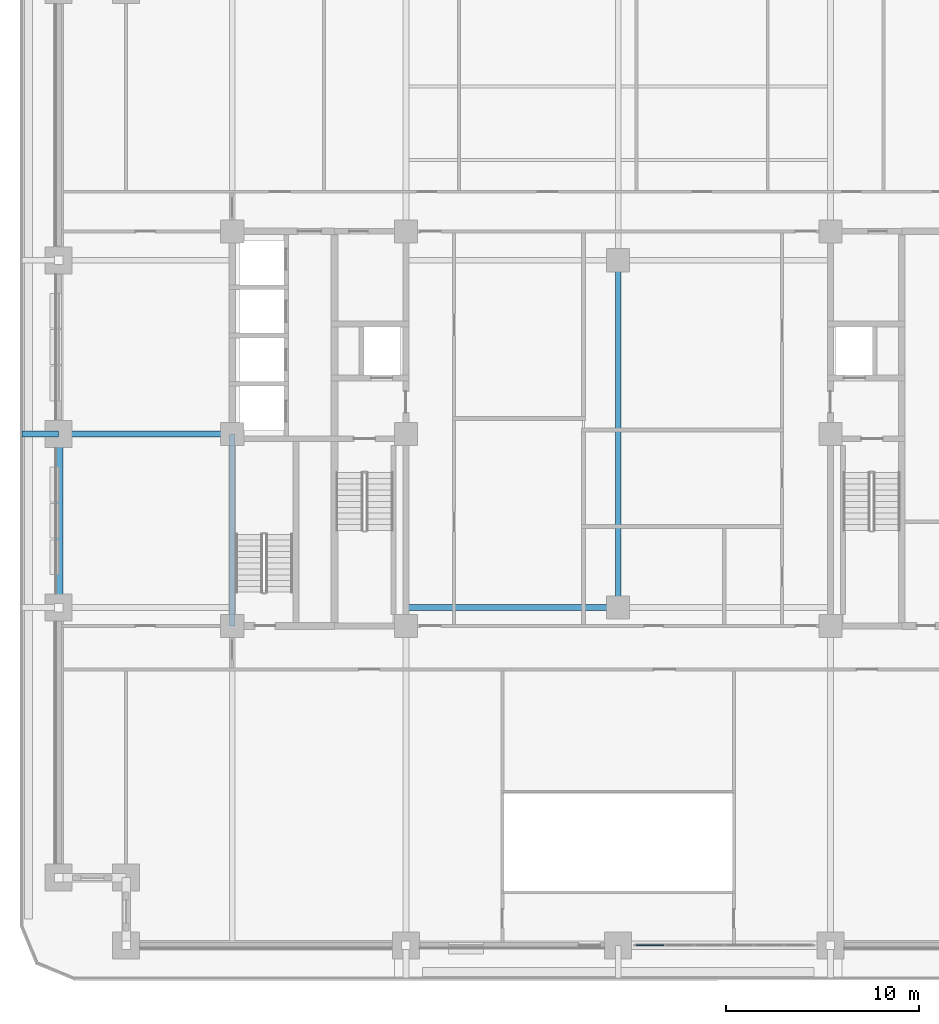
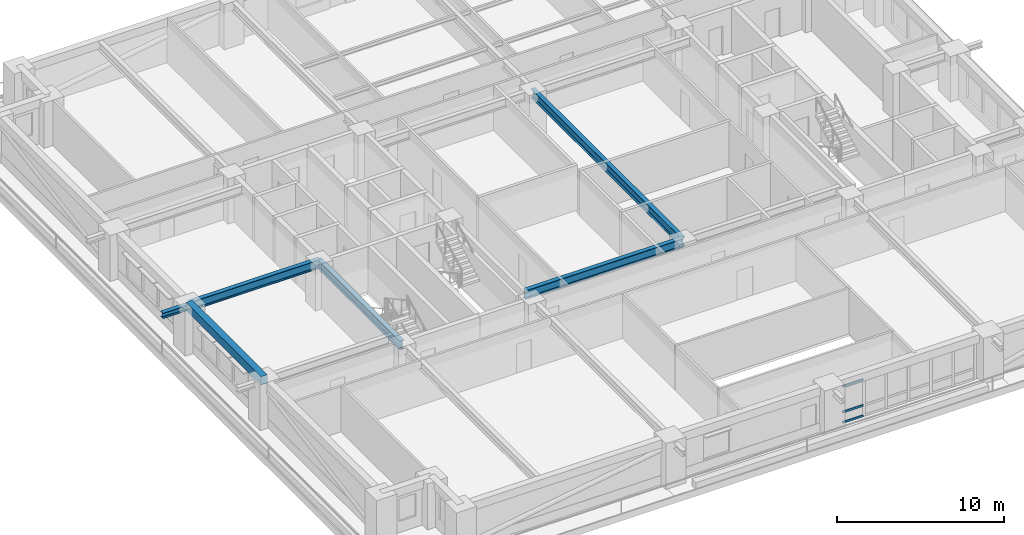
# One storey, part 3 of 20: 6 beams, 3 members, 1 element without a shape of its own.
"""IFC4 building model written with IfcOpenShell, lengths in metres."""

from ifc_helpers import new_model, si_unit, direction, frame, origin, origin_2d, place, context, subcontext, project, spatial, rectangle, i_section, extrude, material, material_profile, profile_set, type_object, element, aggregate, save


model = new_model("IFC4")

# Units and contexts
model_context = context("Model", 3, precision=1e-05, world=origin(), true_north=direction((0.0, 1.0)))
body_context = subcontext(model_context, "Body", "Model", "MODEL_VIEW")
ifc_project = project(units=[si_unit("LENGTHUNIT", "METRE"), si_unit("AREAUNIT", "SQUARE_METRE"), si_unit("VOLUMEUNIT", "CUBIC_METRE"), si_unit("PLANEANGLEUNIT", "RADIAN"), si_unit("MASSUNIT", "GRAM", prefix="KILO")], contexts=[model_context])

# Site, building, storey
site_placement = place(None, origin())
site = spatial("IfcSite", under=ifc_project, at=site_placement, CompositionType="ELEMENT")
building_placement = place(site_placement, origin())
building = spatial("IfcBuilding", under=site, at=building_placement, Name="Zulmaris Gate Convention Tower", CompositionType="ELEMENT")
storey_placement = place(building_placement, frame((0.0, 0.0, 75.0400390625)))
storey = spatial("IfcBuildingStorey", under=building, at=storey_placement, Name="L18", CompositionType="ELEMENT", Elevation=75.0400390625)

# Beams
ifc_material_1 = material(Name="Steel S355", Category="steel")
ifc_material_profile_1 = material_profile(ifc_material_1, i_section(OverallWidth=0.300048828125, OverallDepth=0.39990234375, WebThickness=0.013427734375, FlangeThickness=0.02392578125, FilletRadius=0.027099609375, at=origin_2d()), Name="HEB 400")
ifc_profile_set_1 = profile_set([ifc_material_profile_1], Name="Steel S355")
beam_type_1 = type_object("IfcBeamType", Name="BM-HEB400", PredefinedType="BEAM", material=ifc_profile_set_1)
beam_1_placement = place(storey_placement, frame((-30.89990234375, 0.0, 2.97998046875), z_axis=(1.0, 0.0, 0.0), x_axis=(0.0, 1.0, 0.0)))
element("IfcBeam", 1, at=beam_1_placement, inside=storey, type_object=beam_type_1, Name="L18 Beam TBRK-L18-W-+0", PredefinedType="BEAM", context=body_context, shape_type="SweptSolid", body=[
    extrude(i_section(OverallWidth=0.300048828125, OverallDepth=0.39990234375, WebThickness=0.013427734375, FlangeThickness=0.02392578125, FilletRadius=0.027099609375, at=origin_2d()), origin(), (0.0, 0.0, 1.0), 1.89990234375),
])
ifc_material_profile_2 = material_profile(ifc_material_1, i_section(OverallWidth=0.300048828125, OverallDepth=0.64990234375, WebThickness=0.01611328125, FlangeThickness=0.031005859375, FilletRadius=0.027099609375, at=origin_2d()), Name="HEB 650")
ifc_profile_set_2 = profile_set([ifc_material_profile_2], Name="Steel S355")
beam_type_2 = type_object("IfcBeamType", Name="BM-HEB650", PredefinedType="BEAM", material=ifc_profile_set_2)
beam_2_placement = place(storey_placement, frame((-11.0, -9.0, 2.992919921875), z_axis=(1.0, 0.0, 0.0), x_axis=(0.0, 1.0, 0.0)))
element("IfcBeam", 2, at=beam_2_placement, inside=storey, type_object=beam_type_2, Name="L18 Beam BM-L18-G01", PredefinedType="BEAM", context=body_context, shape_type="SweptSolid", body=[
    extrude(i_section(OverallWidth=0.300048828125, OverallDepth=0.64990234375, WebThickness=0.01611328125, FlangeThickness=0.031005859375, FilletRadius=0.027099609375, at=origin_2d()), origin(), (0.0, 0.0, 1.0), 11.0),
])
beam_3_placement = place(storey_placement, frame((0.0, -9.0, 2.992919921875), z_axis=(0.0, 1.0, 0.0), x_axis=(-1.0, 0.0, 0.0)))
element("IfcBeam", 3, at=beam_3_placement, inside=storey, type_object=beam_type_2, Name="L18 Beam BM-L18-G06", PredefinedType="BEAM", context=body_context, shape_type="SweptSolid", body=[
    extrude(i_section(OverallWidth=0.300048828125, OverallDepth=0.64990234375, WebThickness=0.01611328125, FlangeThickness=0.031005859375, FilletRadius=0.027099609375, at=origin_2d()), origin(), (0.0, 0.0, 1.0), 18.0),
])
beam_4_placement = place(storey_placement, frame((-29.0, 0.0, 2.992919921875), z_axis=(1.0, 0.0, 0.0), x_axis=(0.0, 1.0, 0.0)))
element("IfcBeam", 4, at=beam_4_placement, inside=storey, type_object=beam_type_2, Name="L18 Beam BM-L18-G17", PredefinedType="BEAM", context=body_context, shape_type="SweptSolid", body=[
    extrude(i_section(OverallWidth=0.300048828125, OverallDepth=0.64990234375, WebThickness=0.01611328125, FlangeThickness=0.031005859375, FilletRadius=0.027099609375, at=origin_2d()), origin(), (0.0, 0.0, 1.0), 9.0),
])
beam_5_placement = place(storey_placement, frame((-20.0, -9.949951171875, 2.992919921875), z_axis=(0.0, 1.0, 0.0), x_axis=(-1.0, 0.0, 0.0)))
element("IfcBeam", 5, at=beam_5_placement, inside=storey, type_object=beam_type_2, Name="L18 Beam BM-L18-G26", PredefinedType="BEAM", context=body_context, shape_type="SweptSolid", body=[
    extrude(i_section(OverallWidth=0.300048828125, OverallDepth=0.64990234375, WebThickness=0.01611328125, FlangeThickness=0.031005859375, FilletRadius=0.027099609375, at=origin_2d()), origin(), (0.0, 0.0, 1.0), 9.949951171875),
])
ifc_material_2 = material(Name="Precast concrete C50/60", Category="concrete")
ifc_material_profile_3 = material_profile(ifc_material_2, rectangle(XDim=0.449951171875, YDim=0.60009765625, at=origin_2d()), Name="RC SPANDREL 450x600")
ifc_profile_set_3 = profile_set([ifc_material_profile_3], Name="Precast concrete C50/60")
beam_type_3 = type_object("IfcBeamType", Name="BM-SP450x600", PredefinedType="SPANDREL", material=ifc_profile_set_3)
beam_6_placement = place(storey_placement, frame((-29.0, 0.0, 3.019775390625), z_axis=(0.0, -1.0, 0.0), x_axis=(1.0, 0.0, 0.0)))
element("IfcBeam", 6, at=beam_6_placement, inside=storey, type_object=beam_type_3, Name="L18 Spandrel SP-L18-21", PredefinedType="SPANDREL", context=body_context, shape_type="SweptSolid", body=[
    extrude(rectangle(XDim=0.449951171875, YDim=0.60009765625, at=origin_2d()), origin(), (0.0, 0.0, 1.0), 9.0),
])

# Curtain wall, members
ifc_material_3 = material(Name="Anodised Aluminium", Category="aluminium")
curtain_wall_type = type_object("IfcCurtainWallType", Name="CW-05", PredefinedType="NOTDEFINED", material=ifc_material_3)
curtain_wall_placement = place(storey_placement, origin())
curtain_wall = element("IfcCurtainWall", 7, at=curtain_wall_placement, inside=storey, type_object=curtain_wall_type, Name="CW-05 CW05-L18-S-2_0", PredefinedType="NOTDEFINED")
ifc_material_profile_4 = material_profile(ifc_material_3, rectangle(XDim=0.074951171875, YDim=0.14990234375, at=origin_2d()), Name="ALU TRANSOM 75x150")
ifc_profile_set_4 = profile_set([ifc_material_profile_4], Name="Anodised Aluminium")
member_type = type_object("IfcMemberType", Name="CW-05-TRAN", PredefinedType="USERDEFINED", material=ifc_profile_set_4)
member_1_placement = place(storey_placement, frame((0.93505859375, -26.5, 0.037353515625), z_axis=(1.0, 0.0, 0.0), x_axis=(0.0, 1.0, 0.0)))
member_1 = element("IfcMember", 8, at=member_1_placement, type_object=member_type, Name="CW-05 transom 1.1", ObjectType="TRANSOM", PredefinedType="USERDEFINED", context=body_context, shape_type="SweptSolid", body=[
    extrude(rectangle(XDim=0.074951171875, YDim=0.14990234375, at=origin_2d()), origin(), (0.0, 0.0, 1.0), 1.43408203125),
])
member_2_placement = place(storey_placement, frame((0.93505859375, -26.5, 0.800048828125), z_axis=(1.0, 0.0, 0.0), x_axis=(0.0, 1.0, 0.0)))
member_2 = element("IfcMember", 9, at=member_2_placement, type_object=member_type, Name="CW-05 transom 1.2", ObjectType="TRANSOM", PredefinedType="USERDEFINED", context=body_context, shape_type="SweptSolid", body=[
    extrude(rectangle(XDim=0.074951171875, YDim=0.14990234375, at=origin_2d()), origin(), (0.0, 0.0, 1.0), 1.43408203125),
])
member_3_placement = place(storey_placement, frame((0.93505859375, -26.5, 2.67431640625), z_axis=(1.0, 0.0, 0.0), x_axis=(0.0, 1.0, 0.0)))
member_3 = element("IfcMember", 10, at=member_3_placement, type_object=member_type, Name="CW-05 transom 1.3", ObjectType="TRANSOM", PredefinedType="USERDEFINED", context=body_context, shape_type="SweptSolid", body=[
    extrude(rectangle(XDim=0.074951171875, YDim=0.14990234375, at=origin_2d()), origin(), (0.0, 0.0, 1.0), 1.43408203125),
])
aggregate(curtain_wall, [member_1, member_2, member_3])

save(model, "model.ifc")
